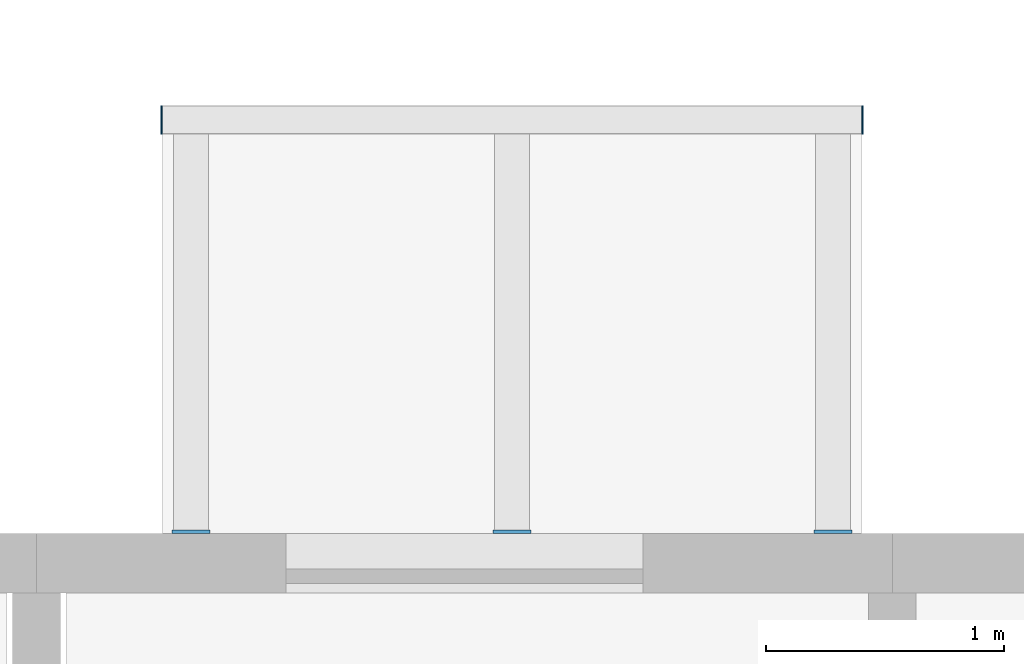
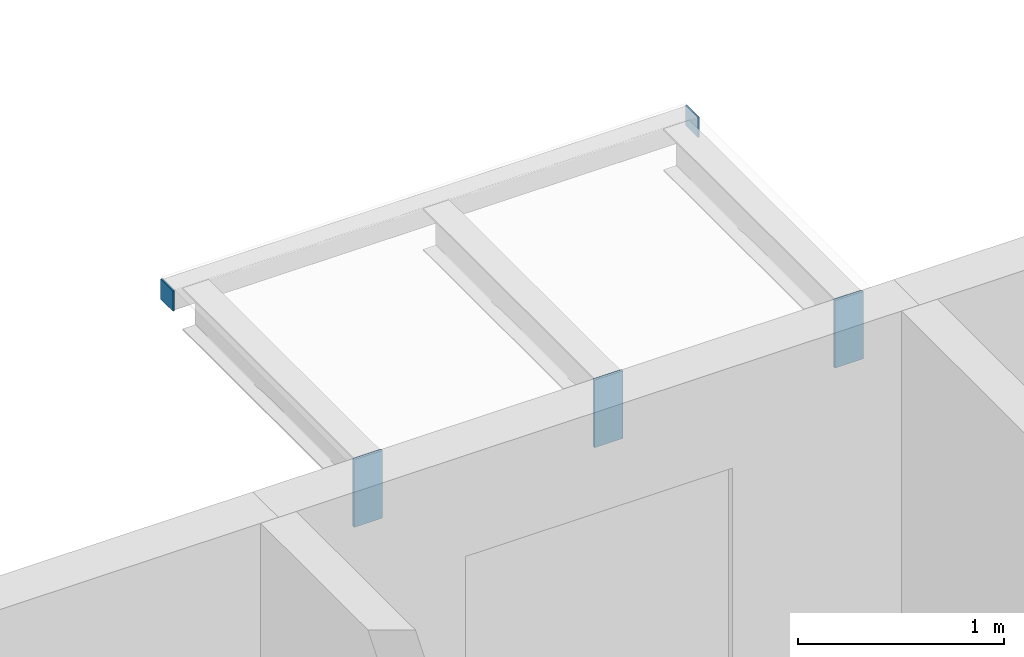
# One storey, part 100 of 122: 5 discrete accessories.
"""IFC4 building model written with IfcOpenShell, lengths in metres."""

from ifc_helpers import new_model, si_unit, direction, frame, origin, origin_2d, place, context, subcontext, project, spatial, rectangle, extrude, material, layer, layer_set, type_object, element, save


model = new_model("IFC4")

# Units and contexts
model_context = context("Model", 3, precision=1e-05, world=origin(), true_north=direction((0.0, 1.0)))
body_context = subcontext(model_context, "Body", "Model", "MODEL_VIEW")
ifc_project = project(units=[si_unit("LENGTHUNIT", "METRE"), si_unit("AREAUNIT", "SQUARE_METRE"), si_unit("VOLUMEUNIT", "CUBIC_METRE"), si_unit("PLANEANGLEUNIT", "RADIAN"), si_unit("MASSUNIT", "GRAM", prefix="KILO")], contexts=[model_context])

# Site, building, storey
site_placement = place(None, origin())
site = spatial("IfcSite", under=ifc_project, at=site_placement, CompositionType="ELEMENT")
building_placement = place(site_placement, origin())
building = spatial("IfcBuilding", under=site, at=building_placement, Name="Ridgestep Commons", CompositionType="ELEMENT")
storey_placement = place(building_placement, frame((0.0, 0.0, 3.0)))
storey = spatial("IfcBuildingStorey", under=building, at=storey_placement, Name="L01", CompositionType="ELEMENT", Elevation=3.0)

# Discrete accessories
ifc_material_1 = material(Name="Weathering steel S355J2W", Category="steel")
ifc_layer_1 = layer(ifc_material_1, 0.014892578125)
ifc_layer_set_1 = layer_set([ifc_layer_1], Name="Tray bracket plate 15")
discrete_accessory_type_1 = type_object("IfcDiscreteAccessoryType", Name="Tray bracket plate 15", PredefinedType="BRACKET", material=ifc_layer_set_1)
for number, where, z_axis, x_axis, name in (
    (1, (207.449951171875, 77.257568359375, 2.588623046875), (0.0, 0.0, 1.0), (1.0, 0.0, 0.0), "Tray bracket C4T2-02.1"),
    (2, (208.800048828125, 77.257568359375, 2.588623046875), (0.0, 0.0, 1.0), (1.0, 0.0, 0.0), "Tray bracket C4T2-02.2"),
    (3, (210.14990234375, 77.257568359375, 2.588623046875), (0.0, 0.0, 1.0), (1.0, 0.0, 0.0), "Tray bracket C4T2-02.3"),
):
    element("IfcDiscreteAccessory", number, at=place(storey_placement, frame(where, z_axis=z_axis, x_axis=x_axis)), inside=storey, type_object=discrete_accessory_type_1, Name=name, PredefinedType="BRACKET", context=body_context, shape_type="SweptSolid", body=[
        extrude(rectangle(XDim=0.159912109375, YDim=0.014892578125, at=origin_2d()), origin(), (0.0, 0.0, 1.0), 0.4013671875),
    ])
ifc_material_2 = material(Name="Weathering steel S355J2W", Category="steel")
ifc_layer_2 = layer(ifc_material_2, 0.008056640625)
ifc_layer_set_2 = layer_set([ifc_layer_2], Name="Tray edge member end plate 120 x 120 x 8")
discrete_accessory_type_2 = type_object("IfcDiscreteAccessoryType", Name="Tray edge member end plate 120 x 120 x 8", PredefinedType="BRACKET", material=ifc_layer_set_2)
for number, where, z_axis, x_axis, name in (
    (4, (207.325927734375, 78.989990234375, 2.869873046875), (0.0, 0.0, 1.0), (1.0, 0.0, 0.0), "Tray edge member end plate C4T2-02 west"),
    (5, (210.27392578125, 78.989990234375, 2.869873046875), (0.0, 0.0, 1.0), (1.0, 0.0, 0.0), "Tray edge member end plate C4T2-02 east"),
):
    element("IfcDiscreteAccessory", number, at=place(storey_placement, frame(where, z_axis=z_axis, x_axis=x_axis)), inside=storey, type_object=discrete_accessory_type_2, Name=name, PredefinedType="BRACKET", context=body_context, shape_type="SweptSolid", body=[
        extrude(rectangle(XDim=0.008056640625, YDim=0.1201171875, at=origin_2d()), origin(), (0.0, 0.0, 1.0), 0.1201171875),
    ])

save(model, "model.ifc")
